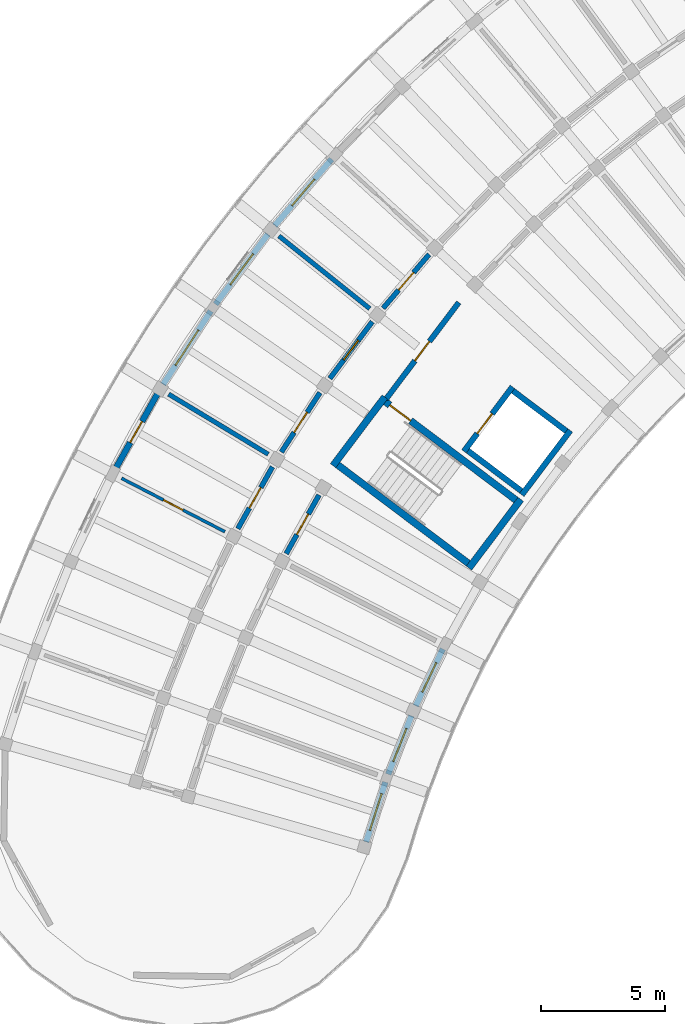
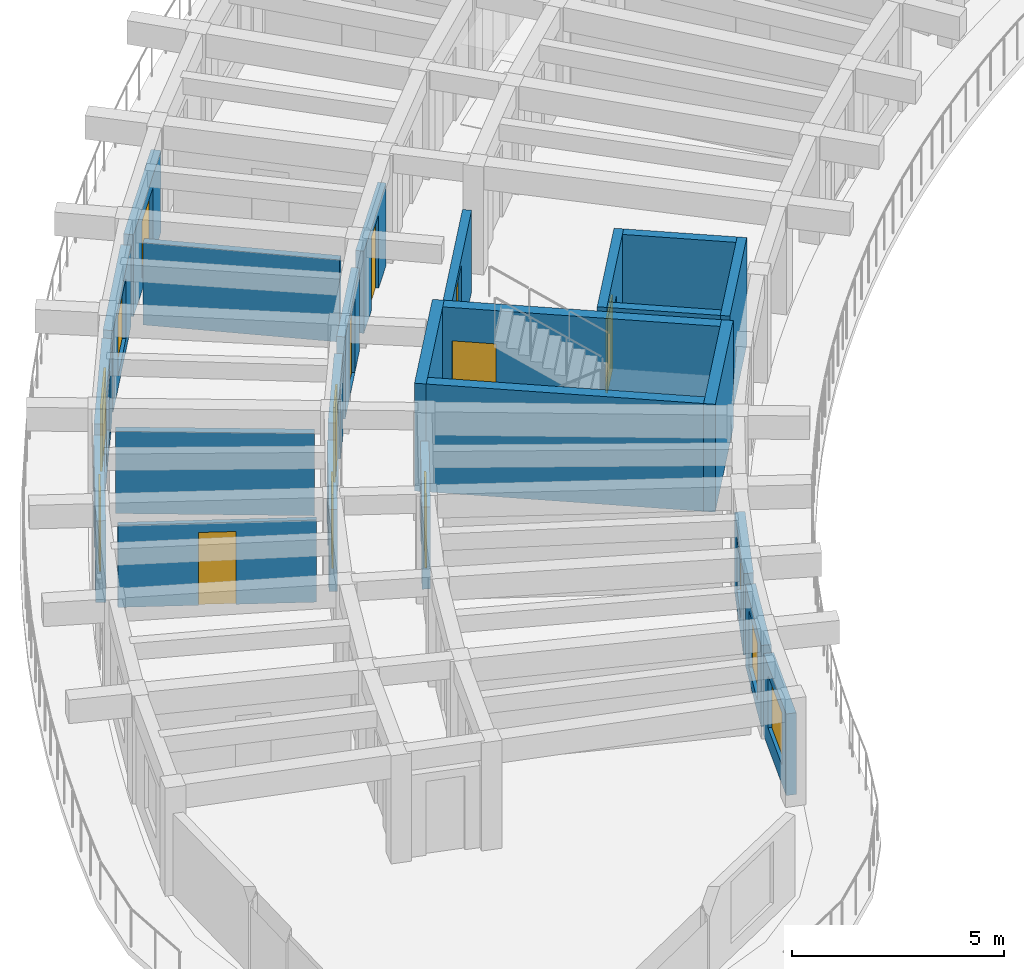
# One storey, part 26 of 56: 24 walls, 10 doors, 6 windows, 16 openings.
"""IFC4 building model written with IfcOpenShell, lengths in metres."""

import ifcopenshell
import ifcopenshell.guid

model = None  # the IFC model being written
_history = None  # IfcOwnerHistory: only IFC2X3 demands one
_inside = {}  # id of a spatial element -> (the spatial element, [elements in it])
_under = {}  # id of a project, library or spatial element -> (it, [spatial elements below it])
_declared = {}  # id of a project -> (the project, [libraries it declares])
_typed = {}  # id of a type object -> (the type object, [elements of that type])
_made_of = {}  # id of a material, layer set ... -> (it, [elements and type objects made of it])


def new_model(schema):
    """Start an empty IFC model of exactly this schema.

    Asked for "IFC4X3", IfcOpenShell would pick the latest addendum, in which some entities
    have other attributes; the version numbers below select the first issue.
    IFC2X3 requires an IfcOwnerHistory on every rooted entity: one is made here for all.
    """
    global model, _history
    if schema == "IFC4X3":
        model = ifcopenshell.file(schema_version=(4, 3, 0, 0))
    else:
        model = ifcopenshell.file(schema=schema)
    _inside.clear()
    _under.clear()
    _declared.clear()
    _typed.clear()
    _made_of.clear()
    _history = None
    if model.schema == "IFC2X3":
        org = make("IfcOrganization", Name="unknown")
        user = make(
            "IfcPersonAndOrganization",
            ThePerson=make("IfcPerson", FamilyName="unknown"),
            TheOrganization=org,
        )
        app = make(
            "IfcApplication",
            ApplicationDeveloper=org,
            Version="unknown",
            ApplicationFullName="unknown",
            ApplicationIdentifier="unknown",
        )
        _history = make(
            "IfcOwnerHistory",
            OwningUser=user,
            OwningApplication=app,
            ChangeAction="ADDED",
            CreationDate=0,
        )
    return model


def make(cls, **values):
    """One entity of the class cls with the attributes given. An attribute that is None is left unset."""
    return model.create_entity(
        cls, **{name: value for name, value in values.items() if value is not None}
    )


def rooted(cls, **values):
    """An entity with a GlobalId (a new one), such as an element, a storey or a relation."""
    return make(cls, GlobalId=ifcopenshell.guid.new(), OwnerHistory=_history, **values)


def si_unit(unit_type, name, prefix=None):
    """IfcSIUnit, for example si_unit("LENGTHUNIT", "METRE", prefix="MILLI")."""
    return make("IfcSIUnit", UnitType=unit_type, Prefix=prefix, Name=name)


def assignment(units):
    """IfcUnitAssignment: the units of a project."""
    return None if units is None else make("IfcUnitAssignment", Units=units)


def point(xyz):
    """IfcCartesianPoint."""
    return None if xyz is None else make("IfcCartesianPoint", Coordinates=xyz)


def direction(xyz):
    """IfcDirection."""
    return None if xyz is None else make("IfcDirection", DirectionRatios=xyz)


def frame(location, z_axis=None, x_axis=None):
    """IfcAxis2Placement3D, a coordinate frame: its origin and axes. An axis left out is left unset."""
    return make(
        "IfcAxis2Placement3D",
        Location=point(location),
        Axis=direction(z_axis),
        RefDirection=direction(x_axis),
    )


def frame_2d(location, x_axis=None):
    """IfcAxis2Placement2D, a coordinate frame in the plane: its origin and x axis."""
    return make(
        "IfcAxis2Placement2D", Location=point(location), RefDirection=direction(x_axis)
    )


def origin():
    """The frame at (0, 0, 0) with its axes left unset."""
    return frame((0.0, 0.0, 0.0))


def place(relative_to, where):
    """IfcLocalPlacement: puts the frame where relative to a parent placement (None: the world)."""
    return make(
        "IfcLocalPlacement", PlacementRelTo=relative_to, RelativePlacement=where
    )


def context(
    kind, dimensions, precision=None, world=None, true_north=None, identifier=None
):
    """IfcGeometricRepresentationContext, for example the 3D "Model" context."""
    return make(
        "IfcGeometricRepresentationContext",
        ContextIdentifier=identifier,
        ContextType=kind,
        CoordinateSpaceDimension=dimensions,
        Precision=precision,
        WorldCoordinateSystem=world,
        TrueNorth=true_north,
    )


def subcontext(parent, identifier, kind, view, scale=None):
    """IfcGeometricRepresentationSubContext, for example "Body" below "Model"."""
    return make(
        "IfcGeometricRepresentationSubContext",
        ContextIdentifier=identifier,
        ContextType=kind,
        ParentContext=parent,
        TargetScale=scale,
        TargetView=view,
    )


def project(units=None, contexts=None):
    """IfcProject with its units and contexts."""
    return rooted(
        "IfcProject",
        Name="project",
        RepresentationContexts=contexts,
        UnitsInContext=assignment(units),
    )


def spatial(cls, under=None, at=None, **own):
    """A site, building, storey or space (cls), placed at a placement, below another one or the project."""
    s = rooted(cls, ObjectPlacement=at, **own)
    if under is not None:
        _under.setdefault(under.id(), (under, []))[1].append(s)
    return s


def profile(cls, at=None, kind="AREA", **sizes):
    """A parametric profile (cls). Its sizes go by their IFC names, for example OverallWidth=200.0."""
    return make(cls, ProfileType=kind, Position=at, **sizes)


def rectangle(**sizes):
    """IfcRectangleProfileDef."""
    return profile("IfcRectangleProfileDef", **sizes)


def extrude(swept, where, along, depth):
    """IfcExtrudedAreaSolid: the profile swept, set in the frame where, extruded along a direction by depth."""
    return make(
        "IfcExtrudedAreaSolid",
        SweptArea=swept,
        Position=where,
        ExtrudedDirection=direction(along),
        Depth=depth,
    )


def shape(context_of_items, identifier, shape_type, items):
    """IfcShapeRepresentation: the items that make up one representation, for example the "Body"."""
    return make(
        "IfcShapeRepresentation",
        ContextOfItems=context_of_items,
        RepresentationIdentifier=identifier,
        RepresentationType=shape_type,
        Items=items,
    )


def material(Name=None, Category=None):
    """IfcMaterial."""
    return make("IfcMaterial", Name=Name, Category=Category)


def layer(
    of_material, thickness, ventilated=None, Name=None, Category=None, Priority=None
):
    """IfcMaterialLayer: one layer of a wall or slab, of a material (None: an air gap)."""
    return make(
        "IfcMaterialLayer",
        Material=of_material,
        LayerThickness=thickness,
        IsVentilated=ventilated,
        Name=Name,
        Category=Category,
        Priority=Priority,
    )


def layer_set(layers, Name=None):
    """IfcMaterialLayerSet."""
    return make("IfcMaterialLayerSet", MaterialLayers=layers, LayerSetName=Name)


def made_of(thing, what):
    """Note that an element or type object is made of a material, layer set ...; save() writes the relation."""
    if what is not None:
        _made_of.setdefault(what.id(), (what, []))[1].append(thing)
    return thing


def type_object(cls, material=None, **own):
    """A type object (cls), such as IfcWallType, which elements share."""
    return made_of(rooted(cls, **own), material)


def element(
    cls,
    number,
    at=None,
    inside=None,
    cuts=None,
    type_object=None,
    material=None,
    context=None,
    identifier="Body",
    shape_type=None,
    held_by="IfcProductDefinitionShape",
    body=None,
    shapes=None,
    **own,
):
    """One element of the class cls, such as IfcWall. Its Tag is "e" and its number.

    at: its placement. inside: the storey or other place that contains it. cuts: it is an
    opening in that element (IfcRelVoidsElement). A single representation is given by context,
    identifier, shape_type and body (its items); several are given by shapes. held_by: the class
    of the entity that holds the representations. save() writes the other relations.
    """
    e = rooted(cls, Tag="e%d" % number, ObjectPlacement=at, **own)
    if body is not None:
        shapes = [shape(context, identifier, shape_type, body)]
    if shapes is not None:
        e.Representation = make(held_by, Representations=shapes)
    if inside is not None:
        _inside.setdefault(inside.id(), (inside, []))[1].append(e)
    if cuts is not None:
        rooted(
            "IfcRelVoidsElement", RelatingBuildingElement=cuts, RelatedOpeningElement=e
        )
    if type_object is not None:
        _typed.setdefault(type_object.id(), (type_object, []))[1].append(e)
    return made_of(e, material)


def fill(opening, filler):
    """IfcRelFillsElement: the door or window that sits in an opening."""
    return rooted(
        "IfcRelFillsElement",
        RelatingOpeningElement=opening,
        RelatedBuildingElement=filler,
    )


def aggregate(whole, parts):
    """IfcRelAggregates: a whole, such as a stair, and the parts it consists of."""
    return rooted("IfcRelAggregates", RelatingObject=whole, RelatedObjects=parts)


def save(model, path):
    """Write the relations noted so far, then the file.

    IfcRelAggregates (storeys below a building ...), IfcRelContainedInSpatialStructure (elements
    in a storey), IfcRelDefinesByType, IfcRelAssociatesMaterial and IfcRelDeclares: one each for
    every whole, place, type object, material and project.
    """
    for whole, parts in _under.values():
        aggregate(whole, parts)
    for where, things in _inside.values():
        rooted(
            "IfcRelContainedInSpatialStructure",
            RelatedElements=things,
            RelatingStructure=where,
        )
    for kind, things in _typed.values():
        rooted("IfcRelDefinesByType", RelatedObjects=things, RelatingType=kind)
    for what, things in _made_of.values():
        rooted("IfcRelAssociatesMaterial", RelatedObjects=things, RelatingMaterial=what)
    for by, libraries in _declared.values():
        rooted("IfcRelDeclares", RelatingContext=by, RelatedDefinitions=libraries)
    model.write(path)


model = new_model("IFC4")

# Units and contexts
model_context = context("Model", 3, precision=1e-05, world=origin(), true_north=direction((0.0, 1.0)))
body_context = subcontext(model_context, "Body", "Model", "MODEL_VIEW")
ifc_project = project(units=[si_unit("LENGTHUNIT", "METRE"), si_unit("AREAUNIT", "SQUARE_METRE"), si_unit("VOLUMEUNIT", "CUBIC_METRE"), si_unit("PLANEANGLEUNIT", "RADIAN"), si_unit("MASSUNIT", "GRAM", prefix="KILO")], contexts=[model_context])

# Site, building, storey
site_placement = place(None, origin())
site = spatial("IfcSite", under=ifc_project, at=site_placement, CompositionType="ELEMENT")
building_placement = place(site_placement, origin())
building = spatial("IfcBuilding", under=site, at=building_placement, Name="Tanwirah Colonnade Gardens", CompositionType="ELEMENT")
storey_placement = place(building_placement, frame((0.0, 0.0, 29.0)))
storey = spatial("IfcBuildingStorey", under=building, at=storey_placement, Name="L08", CompositionType="ELEMENT", Elevation=29.0)

# Wall, opening, window
ifc_material_1 = material(Name="Limestone architectural precast concrete C40/50", Category="masonry")
ifc_layer_1 = layer(ifc_material_1, 0.2451171875)
ifc_layer_set_1 = layer_set([ifc_layer_1], Name="Limestone architectural precast concrete C40/50")
wall_type_1 = type_object("IfcWallType", Name="EW-PC245", PredefinedType="SOLIDWALL", material=ifc_layer_set_1)
wall_1_placement = place(storey_placement, frame((20.948974609375, 100.263427734375, 0.0), z_axis=(0.0, 0.0, 1.0), x_axis=(-0.650200638195, -0.759762548492, 0.0)))
wall_1 = element("IfcWall", 1, at=wall_1_placement, inside=storey, type_object=wall_type_1, Name="Block A L08 OUT Precast Facade Wall 11", PredefinedType="SOLIDWALL", context=body_context, shape_type="SweptSolid", body=[
    extrude(rectangle(XDim=3.540771484375, YDim=0.2451171875, at=frame_2d((1.7705078125, 0.0))), origin(), (0.0, 0.0, 1.0), 2.35498046875),
])
opening_1_placement = place(wall_1_placement, frame((1.0703125, 0.0, 0.35009765625)))
opening_1 = element("IfcOpeningElement", 2, at=opening_1_placement, cuts=wall_1, Name="Opening WIN-T06", PredefinedType="OPENING", context=body_context, shape_type="SweptSolid", body=[
    extrude(rectangle(XDim=1.39990234375, YDim=1.64990234375, at=frame_2d((0.699951171875, 0.824951171875))), frame((0.0, 0.132568359375, 0.0), z_axis=(0.0, -1.0, 0.0), x_axis=(1.0, 0.0, 0.0)), (0.0, 0.0, 1.0), 0.26513671875),
])
ifc_material_2 = material(Name="Thermally broken bronze aluminium and solar low-E double glazing", Category="aluminium")
window_type_1 = type_object("IfcWindowType", Name="WIN-T06", PartitioningType="DOUBLE_PANEL_VERTICAL", PredefinedType="WINDOW", material=ifc_material_2)
window_1_placement = place(opening_1_placement, origin())
window_1 = element("IfcWindow", 3, at=window_1_placement, inside=storey, type_object=window_type_1, Name="Facade window A-L08-OUT-11", OverallHeight=1.64990234375, OverallWidth=1.39990234375, PartitioningType="SINGLE_PANEL", PredefinedType="WINDOW", context=body_context, shape_type="SweptSolid", body=[
    extrude(rectangle(XDim=1.39990234375, YDim=1.64990234375, at=frame_2d((0.699951171875, 0.824951171875))), frame((0.0, 0.030029296875, 0.0), z_axis=(0.0, -1.0, 0.0), x_axis=(1.0, 0.0, 0.0)), (0.0, 0.0, 1.0), 0.06005859375),
])
fill(opening_1, window_1)

wall_2_placement = place(storey_placement, frame((18.3720703125, 97.22998046875, 0.0), z_axis=(0.0, 0.0, 1.0), x_axis=(-0.59871946339, -0.800958803034, 0.0)))
wall_2 = element("IfcWall", 4, at=wall_2_placement, inside=storey, type_object=wall_type_1, Name="Block A L08 OUT Precast Facade Wall 12", PredefinedType="SOLIDWALL", context=body_context, shape_type="SweptSolid", body=[
    extrude(rectangle(XDim=3.540771484375, YDim=0.2451171875, at=frame_2d((1.7705078125, 0.0))), origin(), (0.0, 0.0, 1.0), 2.35498046875),
])
opening_2_placement = place(wall_2_placement, frame((0.995361328125, 0.0, 0.35009765625)))
opening_2 = element("IfcOpeningElement", 5, at=opening_2_placement, cuts=wall_2, Name="Opening WIN-T09", PredefinedType="OPENING", context=body_context, shape_type="SweptSolid", body=[
    extrude(rectangle(XDim=1.550048828125, YDim=1.75, at=frame_2d((0.77490234375, 0.875))), frame((0.0, 0.132568359375, 0.0), z_axis=(0.0, -1.0, 0.0), x_axis=(1.0, 0.0, 0.0)), (0.0, 0.0, 1.0), 0.26513671875),
])
window_type_2 = type_object("IfcWindowType", Name="WIN-T09", PartitioningType="DOUBLE_PANEL_VERTICAL", PredefinedType="WINDOW", material=ifc_material_2)
window_2_placement = place(opening_2_placement, origin())
window_2 = element("IfcWindow", 6, at=window_2_placement, inside=storey, type_object=window_type_2, Name="Facade window A-L08-OUT-12", OverallHeight=1.75, OverallWidth=1.550048828125, PartitioningType="SINGLE_PANEL", PredefinedType="WINDOW", context=body_context, shape_type="SweptSolid", body=[
    extrude(rectangle(XDim=1.550048828125, YDim=1.75, at=frame_2d((0.77490234375, 0.875))), frame((0.0, 0.030029296875, 0.0), z_axis=(0.0, -1.0, 0.0), x_axis=(1.0, 0.0, 0.0)), (0.0, 0.0, 1.0), 0.06005859375),
])
fill(opening_2, window_2)

wall_3_placement = place(storey_placement, frame((16.0634765625, 94.12353515625, 0.0), z_axis=(0.0, 0.0, 1.0), x_axis=(-0.544651423633, -0.838662522553, 0.0)))
wall_3 = element("IfcWall", 7, at=wall_3_placement, inside=storey, type_object=wall_type_1, Name="Block A L08 OUT Precast Facade Wall 13", PredefinedType="SOLIDWALL", context=body_context, shape_type="SweptSolid", body=[
    extrude(rectangle(XDim=3.540771484375, YDim=0.2451171875, at=frame_2d((1.7705078125, 0.0))), origin(), (0.0, 0.0, 1.0), 2.35498046875),
])
opening_3_placement = place(wall_3_placement, frame((0.92041015625, 0.0, 0.35009765625)))
opening_3 = element("IfcOpeningElement", 8, at=opening_3_placement, cuts=wall_3, Name="Opening WIN-T12", PredefinedType="OPENING", context=body_context, shape_type="SweptSolid", body=[
    extrude(rectangle(XDim=1.699951171875, YDim=1.800048828125, at=frame_2d((0.85009765625, 0.89990234375))), frame((0.0, 0.132568359375, 0.0), z_axis=(0.0, -1.0, 0.0), x_axis=(1.0, 0.0, 0.0)), (0.0, 0.0, 1.0), 0.26513671875),
])
window_type_3 = type_object("IfcWindowType", Name="WIN-T12", PartitioningType="TRIPLE_PANEL_VERTICAL", PredefinedType="WINDOW", material=ifc_material_2)
window_3_placement = place(opening_3_placement, origin())
window_3 = element("IfcWindow", 9, at=window_3_placement, inside=storey, type_object=window_type_3, Name="Facade window A-L08-OUT-13", OverallHeight=1.800048828125, OverallWidth=1.699951171875, PartitioningType="SINGLE_PANEL", PredefinedType="WINDOW", context=body_context, shape_type="SweptSolid", body=[
    extrude(rectangle(XDim=1.699951171875, YDim=1.800048828125, at=frame_2d((0.85009765625, 0.89990234375))), frame((0.0, 0.030029296875, 0.0), z_axis=(0.0, -1.0, 0.0), x_axis=(1.0, 0.0, 0.0)), (0.0, 0.0, 1.0), 0.06005859375),
])
fill(opening_3, window_3)

# Wall, opening, door
wall_4_placement = place(storey_placement, frame((13.907958984375, 90.77734375, 0.0), z_axis=(0.0, 0.0, 1.0), x_axis=(-0.488240096514, -0.872709349185, 0.0)))
wall_4 = element("IfcWall", 10, at=wall_4_placement, inside=storey, type_object=wall_type_1, Name="Block A L08 OUT Precast Facade Wall 14", PredefinedType="SOLIDWALL", context=body_context, shape_type="SweptSolid", body=[
    extrude(rectangle(XDim=3.540771484375, YDim=0.2451171875, at=frame_2d((1.7705078125, 0.0))), origin(), (0.0, 0.0, 1.0), 2.35498046875),
])
opening_4_placement = place(wall_4_placement, frame((1.2802734375, 0.0, 0.0)))
opening_4 = element("IfcOpeningElement", 11, at=opening_4_placement, cuts=wall_4, Name="Opening L08-ED040", PredefinedType="OPENING", context=body_context, shape_type="SweptSolid", body=[
    extrude(rectangle(XDim=0.97998046875, YDim=2.1201171875, at=frame_2d((0.489990234375, 1.06005859375))), frame((0.0, 0.132568359375, 0.0), z_axis=(0.0, -1.0, 0.0), x_axis=(1.0, 0.0, 0.0)), (0.0, 0.0, 1.0), 0.26513671875),
])
ifc_material_3 = material(Name="Bronze aluminium glazed balcony door", Category="aluminium")
door_type_1 = type_object("IfcDoorType", Name="ED-BAL098", OperationType="NOTDEFINED", PredefinedType="DOOR", material=ifc_material_3)
door_1_placement = place(opening_4_placement, origin())
door_1 = element("IfcDoor", 12, at=door_1_placement, inside=storey, type_object=door_type_1, Name="Balcony glazed door L08-ED040", OperationType="SINGLE_SWING_LEFT", OverallHeight=2.1201171875, OverallWidth=0.97998046875, PredefinedType="DOOR", context=body_context, shape_type="SweptSolid", body=[
    extrude(rectangle(XDim=0.97998046875, YDim=2.1201171875, at=frame_2d((0.489990234375, 1.06005859375))), frame((0.0, 0.02490234375, 0.0), z_axis=(0.0, -1.0, 0.0), x_axis=(1.0, 0.0, 0.0)), (0.0, 0.0, 1.0), 0.050048828125),
])
fill(opening_4, door_1)

# Wall, opening, window
wall_5_placement = place(storey_placement, frame((25.44189453125, 80.4609375, 0.0), z_axis=(0.0, 0.0, 1.0), x_axis=(-0.429631962494, -0.903004084599, 0.0)))
wall_5 = element("IfcWall", 13, at=wall_5_placement, inside=storey, type_object=wall_type_1, Name="Block A L08 IN Precast Facade Wall 15", PredefinedType="SOLIDWALL", context=body_context, shape_type="SweptSolid", body=[
    extrude(rectangle(XDim=2.545166015625, YDim=0.2451171875, at=frame_2d((1.2724609375, 0.0))), origin(), (0.0, 0.0, 1.0), 2.35498046875),
])
opening_5_placement = place(wall_5_placement, frame((0.612548828125, 0.0, 0.550048828125)))
opening_5 = element("IfcOpeningElement", 14, at=opening_5_placement, cuts=wall_5, Name="Opening WIN-U05", PredefinedType="OPENING", context=body_context, shape_type="SweptSolid", body=[
    extrude(rectangle(XDim=1.320068359375, YDim=1.5849609375, at=frame_2d((0.66015625, 0.79248046875))), frame((0.0, 0.132568359375, 0.0), z_axis=(0.0, -1.0, 0.0), x_axis=(1.0, 0.0, 0.0)), (0.0, 0.0, 1.0), 0.26513671875),
])
window_type_4 = type_object("IfcWindowType", Name="WIN-U05", PartitioningType="DOUBLE_PANEL_VERTICAL", PredefinedType="WINDOW", material=ifc_material_2)
window_4_placement = place(opening_5_placement, origin())
window_4 = element("IfcWindow", 15, at=window_4_placement, inside=storey, type_object=window_type_4, Name="Facade window A-L08-IN-15", OverallHeight=1.5849609375, OverallWidth=1.320068359375, PartitioningType="SINGLE_PANEL", PredefinedType="WINDOW", context=body_context, shape_type="SweptSolid", body=[
    extrude(rectangle(XDim=1.320068359375, YDim=1.5849609375, at=frame_2d((0.66015625, 0.79248046875))), frame((0.0, 0.030029296875, 0.0), z_axis=(0.0, -1.0, 0.0), x_axis=(1.0, 0.0, 0.0)), (0.0, 0.0, 1.0), 0.06005859375),
])
fill(opening_5, window_4)

wall_6_placement = place(storey_placement, frame((24.172607421875, 77.759521484375, 0.0), z_axis=(0.0, 0.0, 1.0), x_axis=(-0.369190124901, -0.929353889364, 0.0)))
wall_6 = element("IfcWall", 16, at=wall_6_placement, inside=storey, type_object=wall_type_1, Name="Block A L08 IN Precast Facade Wall 16", PredefinedType="SOLIDWALL", context=body_context, shape_type="SweptSolid", body=[
    extrude(rectangle(XDim=2.54541015625, YDim=0.2451171875, at=frame_2d((1.272705078125, 0.0))), origin(), (0.0, 0.0, 1.0), 2.35498046875),
])
opening_6_placement = place(wall_6_placement, frame((0.552490234375, 0.0, 0.35009765625)))
opening_6 = element("IfcOpeningElement", 17, at=opening_6_placement, cuts=wall_6, Name="Opening WIN-U08", PredefinedType="OPENING", context=body_context, shape_type="SweptSolid", body=[
    extrude(rectangle(XDim=1.43994140625, YDim=1.659912109375, at=frame_2d((0.719970703125, 0.830078125))), frame((0.0, 0.132568359375, 0.0), z_axis=(0.0, -1.0, 0.0), x_axis=(1.0, 0.0, 0.0)), (0.0, 0.0, 1.0), 0.26513671875),
])
window_type_5 = type_object("IfcWindowType", Name="WIN-U08", PartitioningType="DOUBLE_PANEL_VERTICAL", PredefinedType="WINDOW", material=ifc_material_2)
window_5_placement = place(opening_6_placement, origin())
window_5 = element("IfcWindow", 18, at=window_5_placement, inside=storey, type_object=window_type_5, Name="Facade window A-L08-IN-16", OverallHeight=1.659912109375, OverallWidth=1.43994140625, PartitioningType="SINGLE_PANEL", PredefinedType="WINDOW", context=body_context, shape_type="SweptSolid", body=[
    extrude(rectangle(XDim=1.43994140625, YDim=1.659912109375, at=frame_2d((0.719970703125, 0.830078125))), frame((0.0, 0.030029296875, 0.0), z_axis=(0.0, -1.0, 0.0), x_axis=(1.0, 0.0, 0.0)), (0.0, 0.0, 1.0), 0.06005859375),
])
fill(opening_6, window_5)

wall_7_placement = place(storey_placement, frame((23.121337890625, 75.083740234375, 0.0), z_axis=(0.0, 0.0, 1.0), x_axis=(-0.30712047936, -0.951670642164, 0.0)))
wall_7 = element("IfcWall", 19, at=wall_7_placement, inside=storey, type_object=wall_type_1, Name="Block A L08 IN Precast Facade Wall 17", PredefinedType="SOLIDWALL", context=body_context, shape_type="SweptSolid", body=[
    extrude(rectangle(XDim=2.54541015625, YDim=0.2451171875, at=frame_2d((1.272705078125, 0.0))), origin(), (0.0, 0.0, 1.0), 2.35498046875),
])
opening_7_placement = place(wall_7_placement, frame((0.49267578125, 0.0, 0.550048828125)))
opening_7 = element("IfcOpeningElement", 20, at=opening_7_placement, cuts=wall_7, Name="Opening WIN-U11", PredefinedType="OPENING", context=body_context, shape_type="SweptSolid", body=[
    extrude(rectangle(XDim=1.56005859375, YDim=1.510009765625, at=frame_2d((0.780029296875, 0.7548828125))), frame((0.0, 0.132568359375, 0.0), z_axis=(0.0, -1.0, 0.0), x_axis=(1.0, 0.0, 0.0)), (0.0, 0.0, 1.0), 0.26513671875),
])
window_type_6 = type_object("IfcWindowType", Name="WIN-U11", PartitioningType="DOUBLE_PANEL_VERTICAL", PredefinedType="WINDOW", material=ifc_material_2)
window_6_placement = place(opening_7_placement, origin())
window_6 = element("IfcWindow", 21, at=window_6_placement, inside=storey, type_object=window_type_6, Name="Facade window A-L08-IN-17", OverallHeight=1.510009765625, OverallWidth=1.56005859375, PartitioningType="SINGLE_PANEL", PredefinedType="WINDOW", context=body_context, shape_type="SweptSolid", body=[
    extrude(rectangle(XDim=1.56005859375, YDim=1.510009765625, at=frame_2d((0.780029296875, 0.7548828125))), frame((0.0, 0.030029296875, 0.0), z_axis=(0.0, -1.0, 0.0), x_axis=(1.0, 0.0, 0.0)), (0.0, 0.0, 1.0), 0.06005859375),
])
fill(opening_7, window_6)

# Wall, opening, door
ifc_material_4 = material(Name="Precast concrete C40/50", Category="concrete")
ifc_layer_2 = layer(ifc_material_4, 0.205078125)
ifc_layer_set_2 = layer_set([ifc_layer_2], Name="Precast concrete C40/50")
wall_type_2 = type_object("IfcWallType", Name="IW-CORR205", PredefinedType="PARTITIONING", material=ifc_layer_set_2)
wall_8_placement = place(storey_placement, frame((24.88720703125, 96.4111328125, 0.0), z_axis=(0.0, 0.0, 1.0), x_axis=(-0.650194272684, -0.759767996015, 0.0)))
wall_8 = element("IfcWall", 22, at=wall_8_placement, inside=storey, type_object=wall_type_2, Name="Block A L08 OUT Corridor Wall 11", PredefinedType="PARTITIONING", context=body_context, shape_type="SweptSolid", body=[
    extrude(rectangle(XDim=2.863037109375, YDim=0.205078125, at=frame_2d((1.431640625, 0.0))), origin(), (0.0, 0.0, 1.0), 2.3701171875),
])
opening_8_placement = place(wall_8_placement, frame((0.966552734375, 0.0, 0.0)))
opening_8 = element("IfcOpeningElement", 23, at=opening_8_placement, cuts=wall_8, Name="Opening L08-AD583", PredefinedType="OPENING", context=body_context, shape_type="SweptSolid", body=[
    extrude(rectangle(XDim=0.929931640625, YDim=2.1201171875, at=frame_2d((0.46484375, 1.06005859375))), frame((0.0, 0.112548828125, 0.0), z_axis=(0.0, -1.0, 0.0), x_axis=(1.0, 0.0, 0.0)), (0.0, 0.0, 1.0), 0.22509765625),
])
ifc_material_5 = material(Name="Solid oak fire-resisting apartment entrance door")
door_type_2 = type_object("IfcDoorType", Name="ID-FLT093", OperationType="NOTDEFINED", PredefinedType="DOOR", material=ifc_material_5)
door_2_placement = place(opening_8_placement, origin())
door_2 = element("IfcDoor", 24, at=door_2_placement, inside=storey, type_object=door_type_2, Name="Apartment corridor door L08-AD583", OperationType="SINGLE_SWING_RIGHT", OverallHeight=2.1201171875, OverallWidth=0.929931640625, PredefinedType="DOOR", context=body_context, shape_type="SweptSolid", body=[
    extrude(rectangle(XDim=0.929931640625, YDim=2.1201171875, at=frame_2d((0.46484375, 1.06005859375))), frame((0.0, 0.02490234375, 0.0), z_axis=(0.0, -1.0, 0.0), x_axis=(1.0, 0.0, 0.0)), (0.0, 0.0, 1.0), 0.050048828125),
])
fill(opening_8, door_2)

wall_9_placement = place(storey_placement, frame((22.588623046875, 93.689453125, 0.0), z_axis=(0.0, 0.0, 1.0), x_axis=(-0.598757763243, -0.800930172335, 0.0)))
wall_9 = element("IfcWall", 25, at=wall_9_placement, inside=storey, type_object=wall_type_2, Name="Block A L08 OUT Corridor Wall 12", PredefinedType="PARTITIONING", context=body_context, shape_type="SweptSolid", body=[
    extrude(rectangle(XDim=2.86328125, YDim=0.205078125, at=frame_2d((1.431640625, 0.0))), origin(), (0.0, 0.0, 1.0), 2.3701171875),
])
opening_9_placement = place(wall_9_placement, frame((0.9365234375, 0.0, 0.0)))
opening_9 = element("IfcOpeningElement", 26, at=opening_9_placement, cuts=wall_9, Name="Opening L08-AD584", PredefinedType="OPENING", context=body_context, shape_type="SweptSolid", body=[
    extrude(rectangle(XDim=0.989990234375, YDim=2.159912109375, at=frame_2d((0.4951171875, 1.080078125))), frame((0.0, 0.112548828125, 0.0), z_axis=(0.0, -1.0, 0.0), x_axis=(1.0, 0.0, 0.0)), (0.0, 0.0, 1.0), 0.22509765625),
])
door_type_3 = type_object("IfcDoorType", Name="ID-FLT099", OperationType="NOTDEFINED", PredefinedType="DOOR", material=ifc_material_5)
door_3_placement = place(opening_9_placement, origin())
door_3 = element("IfcDoor", 27, at=door_3_placement, inside=storey, type_object=door_type_3, Name="Apartment corridor door L08-AD584", OperationType="SINGLE_SWING_LEFT", OverallHeight=2.159912109375, OverallWidth=0.989990234375, PredefinedType="DOOR", context=body_context, shape_type="SweptSolid", body=[
    extrude(rectangle(XDim=0.989990234375, YDim=2.159912109375, at=frame_2d((0.4951171875, 1.080078125))), frame((0.0, 0.02490234375, 0.0), z_axis=(0.0, -1.0, 0.0), x_axis=(1.0, 0.0, 0.0)), (0.0, 0.0, 1.0), 0.050048828125),
])
fill(opening_9, door_3)

wall_10_placement = place(storey_placement, frame((20.47412109375, 90.822265625, 0.0), z_axis=(0.0, 0.0, 1.0), x_axis=(-0.544643612649, -0.838667595178, 0.0)))
wall_10 = element("IfcWall", 28, at=wall_10_placement, inside=storey, type_object=wall_type_2, Name="Block A L08 OUT Corridor Wall 13", PredefinedType="PARTITIONING", context=body_context, shape_type="SweptSolid", body=[
    extrude(rectangle(XDim=2.863037109375, YDim=0.205078125, at=frame_2d((1.431640625, 0.0))), origin(), (0.0, 0.0, 1.0), 2.3701171875),
])
opening_10_placement = place(wall_10_placement, frame((0.946533203125, 0.0, 0.0)))
opening_10 = element("IfcOpeningElement", 29, at=opening_10_placement, cuts=wall_10, Name="Opening L08-AD585", PredefinedType="OPENING", context=body_context, shape_type="SweptSolid", body=[
    extrude(rectangle(XDim=0.969970703125, YDim=2.14990234375, at=frame_2d((0.48486328125, 1.074951171875))), frame((0.0, 0.112548828125, 0.0), z_axis=(0.0, -1.0, 0.0), x_axis=(1.0, 0.0, 0.0)), (0.0, 0.0, 1.0), 0.22509765625),
])
door_type_4 = type_object("IfcDoorType", Name="ID-FLT097", OperationType="NOTDEFINED", PredefinedType="DOOR", material=ifc_material_5)
door_4_placement = place(opening_10_placement, origin())
door_4 = element("IfcDoor", 30, at=door_4_placement, inside=storey, type_object=door_type_4, Name="Apartment corridor door L08-AD585", OperationType="SINGLE_SWING_RIGHT", OverallHeight=2.14990234375, OverallWidth=0.969970703125, PredefinedType="DOOR", context=body_context, shape_type="SweptSolid", body=[
    extrude(rectangle(XDim=0.969970703125, YDim=2.14990234375, at=frame_2d((0.48486328125, 1.074951171875))), frame((0.0, 0.02490234375, 0.0), z_axis=(0.0, -1.0, 0.0), x_axis=(1.0, 0.0, 0.0)), (0.0, 0.0, 1.0), 0.050048828125),
])
fill(opening_10, door_4)

wall_11_placement = place(storey_placement, frame((18.55322265625, 87.822021484375, 0.0), z_axis=(0.0, 0.0, 1.0), x_axis=(-0.488211211273, -0.872725508501, 0.0)))
wall_11 = element("IfcWall", 31, at=wall_11_placement, inside=storey, type_object=wall_type_2, Name="Block A L08 OUT Corridor Wall 14", PredefinedType="PARTITIONING", context=body_context, shape_type="SweptSolid", body=[
    extrude(rectangle(XDim=2.86279296875, YDim=0.205078125, at=frame_2d((1.431396484375, 0.0))), origin(), (0.0, 0.0, 1.0), 2.3701171875),
])
opening_11_placement = place(wall_11_placement, frame((0.95654296875, 0.0, 0.0)))
opening_11 = element("IfcOpeningElement", 32, at=opening_11_placement, cuts=wall_11, Name="Opening L08-AD586", PredefinedType="OPENING", context=body_context, shape_type="SweptSolid", body=[
    extrude(rectangle(XDim=0.949951171875, YDim=2.1298828125, at=frame_2d((0.47509765625, 1.06494140625))), frame((0.0, 0.112548828125, 0.0), z_axis=(0.0, -1.0, 0.0), x_axis=(1.0, 0.0, 0.0)), (0.0, 0.0, 1.0), 0.22509765625),
])
door_type_5 = type_object("IfcDoorType", Name="ID-FLT095", OperationType="NOTDEFINED", PredefinedType="DOOR", material=ifc_material_5)
door_5_placement = place(opening_11_placement, origin())
door_5 = element("IfcDoor", 33, at=door_5_placement, inside=storey, type_object=door_type_5, Name="Apartment corridor door L08-AD586", OperationType="SINGLE_SWING_LEFT", OverallHeight=2.1298828125, OverallWidth=0.949951171875, PredefinedType="DOOR", context=body_context, shape_type="SweptSolid", body=[
    extrude(rectangle(XDim=0.949951171875, YDim=2.1298828125, at=frame_2d((0.47509765625, 1.06494140625))), frame((0.0, 0.02490234375, 0.0), z_axis=(0.0, -1.0, 0.0), x_axis=(1.0, 0.0, 0.0)), (0.0, 0.0, 1.0), 0.050048828125),
])
fill(opening_11, door_5)

wall_12_placement = place(storey_placement, frame((20.436767578125, 86.685302734375, 0.0), z_axis=(0.0, 0.0, 1.0), x_axis=(-0.48819576874, -0.872734147025, 0.0)))
wall_12 = element("IfcWall", 34, at=wall_12_placement, inside=storey, type_object=wall_type_2, Name="Block A L08 IN Corridor Wall 14", PredefinedType="PARTITIONING", context=body_context, shape_type="SweptSolid", body=[
    extrude(rectangle(XDim=2.718017578125, YDim=0.205078125, at=frame_2d((1.35888671875, 0.0))), origin(), (0.0, 0.0, 1.0), 2.3701171875),
])
opening_12_placement = place(wall_12_placement, frame((0.884033203125, 0.0, 0.0)))
opening_12 = element("IfcOpeningElement", 35, at=opening_12_placement, cuts=wall_12, Name="Opening L08-AD587", PredefinedType="OPENING", context=body_context, shape_type="SweptSolid", body=[
    extrude(rectangle(XDim=0.949951171875, YDim=2.1298828125, at=frame_2d((0.47509765625, 1.06494140625))), frame((0.0, 0.112548828125, 0.0), z_axis=(0.0, -1.0, 0.0), x_axis=(1.0, 0.0, 0.0)), (0.0, 0.0, 1.0), 0.22509765625),
])
door_6_placement = place(opening_12_placement, origin())
door_6 = element("IfcDoor", 36, at=door_6_placement, inside=storey, type_object=door_type_5, Name="Apartment corridor door L08-AD587", OperationType="SINGLE_SWING_RIGHT", OverallHeight=2.1298828125, OverallWidth=0.949951171875, PredefinedType="DOOR", context=body_context, shape_type="SweptSolid", body=[
    extrude(rectangle(XDim=0.949951171875, YDim=2.1298828125, at=frame_2d((0.47509765625, 1.06494140625))), frame((0.0, 0.02490234375, 0.0), z_axis=(0.0, -1.0, 0.0), x_axis=(1.0, 0.0, 0.0)), (0.0, 0.0, 1.0), 0.050048828125),
])
fill(opening_12, door_6)

# Walls
ifc_layer_3 = layer(ifc_material_4, 0.18505859375)
ifc_layer_set_3 = layer_set([ifc_layer_3], Name="Precast concrete C40/50")
wall_type_3 = type_object("IfcWallType", Name="IW-DEM185", PredefinedType="PARTITIONING", material=ifc_layer_set_3)
wall_13_placement = place(storey_placement, frame((22.48583984375, 94.2197265625, 0.0), z_axis=(0.0, 0.0, 1.0), x_axis=(-0.780807994362, 0.624771058821, 0.0)))
element("IfcWall", 37, at=wall_13_placement, inside=storey, type_object=wall_type_3, Name="Block A L08 Radial Partition 11", PredefinedType="PARTITIONING", context=body_context, shape_type="SweptSolid", body=[
    extrude(rectangle(XDim=4.7001953125, YDim=0.18505859375, at=frame_2d((2.35009765625, 0.0))), origin(), (0.0, 0.0, 1.0), 2.3701171875),
])
wall_14_placement = place(storey_placement, frame((18.381591796875, 88.334228515625, 0.0), z_axis=(0.0, 0.0, 1.0), x_axis=(-0.856165473929, 0.516701733356, 0.0)))
element("IfcWall", 38, at=wall_14_placement, inside=storey, type_object=wall_type_3, Name="Block A L08 Radial Partition 13", PredefinedType="PARTITIONING", context=body_context, shape_type="SweptSolid", body=[
    extrude(rectangle(XDim=4.699951171875, YDim=0.18505859375, at=frame_2d((2.35009765625, 0.0))), origin(), (0.0, 0.0, 1.0), 2.3701171875),
])

# Wall, opening, door
ifc_material_6 = material(Name="Autoclaved aerated masonry blockwork", Category="masonry")
ifc_layer_4 = layer(ifc_material_6, 0.219970703125)
ifc_layer_set_4 = layer_set([ifc_layer_4], Name="Autoclaved aerated masonry blockwork")
wall_type_4 = type_object("IfcWallType", Name="IW-FFL220", PredefinedType="PARTITIONING", material=ifc_layer_set_4)
wall_15_placement = place(storey_placement, frame((23.138916015625, 90.55517578125, 0.0), z_axis=(0.0, 0.0, 1.0), x_axis=(0.601792209296, 0.79865270101, 0.0)))
wall_15 = element("IfcWall", 39, at=wall_15_placement, inside=storey, type_object=wall_type_4, Name="CORE-A2 L08 Enclosed Lobby Fire Wall", PredefinedType="PARTITIONING", context=body_context, shape_type="SweptSolid", body=[
    extrude(rectangle(XDim=4.89990234375, YDim=0.219970703125, at=frame_2d((2.449951171875, 0.0))), origin(), (0.0, 0.0, 1.0), 2.340087890625),
])
opening_13_placement = place(wall_15_placement, frame((1.949951171875, 0.0, 0.0)))
opening_13 = element("IfcOpeningElement", 40, at=opening_13_placement, cuts=wall_15, Name="Opening L08-LD058", PredefinedType="OPENING", context=body_context, shape_type="SweptSolid", body=[
    extrude(rectangle(XDim=0.97998046875, YDim=2.139892578125, at=frame_2d((0.489990234375, 1.06982421875))), frame((0.0, 0.119873046875, 0.0), z_axis=(0.0, -1.0, 0.0), x_axis=(1.0, 0.0, 0.0)), (0.0, 0.0, 1.0), 0.239990234375),
])
ifc_material_7 = material(Name="Acoustic fire-resisting lobby door")
door_type_6 = type_object("IfcDoorType", Name="ID-FFL098", OperationType="NOTDEFINED", PredefinedType="DOOR", material=ifc_material_7)
door_7_placement = place(opening_13_placement, origin())
door_7 = element("IfcDoor", 41, at=door_7_placement, inside=storey, type_object=door_type_6, Name="CORE-A2 L08 Lobby Fire Door L08-LD058", OperationType="SINGLE_SWING_LEFT", OverallHeight=2.139892578125, OverallWidth=0.97998046875, PredefinedType="DOOR", context=body_context, shape_type="SweptSolid", body=[
    extrude(rectangle(XDim=0.97998046875, YDim=2.139892578125, at=frame_2d((0.489990234375, 1.06982421875))), frame((0.0, 0.02490234375, 0.0), z_axis=(0.0, -1.0, 0.0), x_axis=(1.0, 0.0, 0.0)), (0.0, 0.0, 1.0), 0.050048828125),
])
fill(opening_13, door_7)

ifc_material_8 = material(Name="Moisture-resistant gypsum stud partition")
ifc_layer_5 = layer(ifc_material_8, 0.125)
ifc_layer_set_5 = layer_set([ifc_layer_5], Name="Moisture-resistant gypsum stud partition")
wall_type_5 = type_object("IfcWallType", Name="IW-INT125", PredefinedType="PARTITIONING", material=ifc_layer_set_5)
wall_16_placement = place(storey_placement, frame((16.62939453125, 85.20166015625, 0.0), z_axis=(0.0, 0.0, 1.0), x_axis=(-0.88836305433, 0.459141681512, 0.0)))
wall_16 = element("IfcWall", 42, at=wall_16_placement, inside=storey, type_object=wall_type_5, Name="Block A L08 Radial Partition 14", PredefinedType="PARTITIONING", context=body_context, shape_type="SweptSolid", body=[
    extrude(rectangle(XDim=4.699951171875, YDim=0.125, at=frame_2d((2.35009765625, 0.0))), origin(), (0.0, 0.0, 1.0), 2.3701171875),
])
opening_14_placement = place(wall_16_placement, frame((1.905029296875, 0.0, 0.0)))
opening_14 = element("IfcOpeningElement", 43, at=opening_14_placement, cuts=wall_16, Name="Opening L08-RD588", PredefinedType="OPENING", context=body_context, shape_type="SweptSolid", body=[
    extrude(rectangle(XDim=0.889892578125, YDim=2.10009765625, at=frame_2d((0.44482421875, 1.050048828125))), frame((0.0, 0.072509765625, 0.0), z_axis=(0.0, -1.0, 0.0), x_axis=(1.0, 0.0, 0.0)), (0.0, 0.0, 1.0), 0.14501953125),
])
ifc_material_9 = material(Name="Painted hardwood bedroom door", Category="wood")
door_type_7 = type_object("IfcDoorType", Name="ID-RM089", OperationType="NOTDEFINED", PredefinedType="DOOR", material=ifc_material_9)
door_8_placement = place(opening_14_placement, origin())
door_8 = element("IfcDoor", 44, at=door_8_placement, inside=storey, type_object=door_type_7, Name="Internal apartment door L08-RD588", OperationType="SINGLE_SWING_LEFT", OverallHeight=2.10009765625, OverallWidth=0.889892578125, PredefinedType="DOOR", context=body_context, shape_type="SweptSolid", body=[
    extrude(rectangle(XDim=0.889892578125, YDim=2.10009765625, at=frame_2d((0.44482421875, 1.050048828125))), frame((0.0, 0.02490234375, 0.0), z_axis=(0.0, -1.0, 0.0), x_axis=(1.0, 0.0, 0.0)), (0.0, 0.0, 1.0), 0.050048828125),
])
fill(opening_14, door_8)

# Walls
ifc_material_10 = material(Name="Concrete C45/55", Category="concrete")
ifc_layer_6 = layer(ifc_material_10, 0.280029296875)
ifc_layer_set_6 = layer_set([ifc_layer_6], Name="Concrete C45/55")
wall_type_6 = type_object("IfcWallType", Name="SW-CORE280", PredefinedType="SHEAR", material=ifc_layer_set_6)
wall_17_placement = place(storey_placement, frame((21.19873046875, 87.8974609375, 0.0), z_axis=(0.0, 0.0, 1.0), x_axis=(0.798639633744, -0.601809550782, 0.0)))
element("IfcWall", 45, at=wall_17_placement, inside=storey, type_object=wall_type_6, Name="CORE-A2 L08 Stair Shaft Shear Wall LEFT", PredefinedType="SHEAR", context=body_context, shape_type="SweptSolid", body=[
    extrude(rectangle(XDim=6.599853515625, YDim=0.280029296875, at=frame_2d((3.2998046875, 0.0))), origin(), (0.0, 0.0, 1.0), 3.110107421875),
])
for number, where, z_axis, x_axis, name in (
    (46, (26.497314453125, 83.7294921875, 0.0), (0.0, 0.0, 1.0), (0.601794470585, 0.798650997102, 0.0), "CORE-A2 L08 Stair Shaft Shear Wall FAR"),
    (47, (21.002685546875, 87.869873046875, 0.0), (0.0, 0.0, 1.0), (0.601794470585, 0.798650997102, 0.0), "CORE-A2 L08 Stair Shaft Shear Wall NEAR"),
):
    element("IfcWall", number, at=place(storey_placement, frame(where, z_axis=z_axis, x_axis=x_axis)), inside=storey, type_object=wall_type_6, Name=name, PredefinedType="SHEAR", context=body_context, shape_type="SweptSolid", body=[
        extrude(rectangle(XDim=3.47998046875, YDim=0.280029296875, at=frame_2d((1.739990234375, 0.0))), origin(), (0.0, 0.0, 1.0), 3.110107421875),
    ])

# Wall, opening, door
wall_18_placement = place(storey_placement, frame((23.12451171875, 90.453125, 0.0), z_axis=(0.0, 0.0, 1.0), x_axis=(0.798639633744, -0.601809550782, 0.0)))
wall_18 = element("IfcWall", 48, at=wall_18_placement, inside=storey, type_object=wall_type_6, Name="CORE-A2 L08 Stair Shaft Shear Wall RIGHT", PredefinedType="SHEAR", context=body_context, shape_type="SweptSolid", body=[
    extrude(rectangle(XDim=6.599853515625, YDim=0.280029296875, at=frame_2d((3.2998046875, 0.0))), origin(), (0.0, 0.0, 1.0), 3.110107421875),
])
opening_15_placement = place(wall_18_placement, frame((0.219970703125, 0.0, 0.0)))
opening_15 = element("IfcOpeningElement", 49, at=opening_15_placement, cuts=wall_18, Name="Opening L08-SD042", PredefinedType="OPENING", context=body_context, shape_type="SweptSolid", body=[
    extrude(rectangle(XDim=1.050048828125, YDim=2.14990234375, at=frame_2d((0.52490234375, 1.074951171875))), frame((0.0, 0.14990234375, 0.0), z_axis=(0.0, -1.0, 0.0), x_axis=(1.0, 0.0, 0.0)), (0.0, 0.0, 1.0), 0.300048828125),
])
ifc_material_11 = material(Name="Steel fire-resisting stair enclosure door", Category="steel")
door_type_8 = type_object("IfcDoorType", Name="ID-ST105", OperationType="NOTDEFINED", PredefinedType="DOOR", material=ifc_material_11)
door_9_placement = place(opening_15_placement, origin())
door_9 = element("IfcDoor", 50, at=door_9_placement, inside=storey, type_object=door_type_8, Name="CORE-A2 L08 Stair Fire Door L08-SD042", OperationType="SINGLE_SWING_LEFT", OverallHeight=2.14990234375, OverallWidth=1.050048828125, PredefinedType="DOOR", context=body_context, shape_type="SweptSolid", body=[
    extrude(rectangle(XDim=1.050048828125, YDim=2.14990234375, at=frame_2d((0.52490234375, 1.074951171875))), frame((0.0, 0.02490234375, 0.0), z_axis=(0.0, -1.0, 0.0), x_axis=(1.0, 0.0, 0.0)), (0.0, 0.0, 1.0), 0.050048828125),
])
fill(opening_15, door_9)

ifc_layer_7 = layer(ifc_material_10, 0.22998046875)
ifc_layer_set_7 = layer_set([ifc_layer_7], Name="Concrete C45/55")
wall_type_7 = type_object("IfcWallType", Name="SW-LIFT230", PredefinedType="SHEAR", material=ifc_layer_set_7)
wall_19_placement = place(storey_placement, frame((26.2939453125, 88.452880859375, 0.0), z_axis=(0.0, 0.0, 1.0), x_axis=(0.601819781152, 0.798631924615, 0.0)))
wall_19 = element("IfcWall", 51, at=wall_19_placement, inside=storey, type_object=wall_type_7, Name="CORE-A2 L08 Lift Shaft Wall FRONT", PredefinedType="SHEAR", context=body_context, shape_type="SweptSolid", body=[
    extrude(rectangle(XDim=3.260009765625, YDim=0.22998046875, at=frame_2d((1.6298828125, 0.0))), origin(), (0.0, 0.0, 1.0), 3.110107421875),
])
opening_16_placement = place(wall_19_placement, frame((0.89990234375, 0.0, 0.0)))
opening_16 = element("IfcOpeningElement", 52, at=opening_16_placement, cuts=wall_19, Name="Opening L08-LD-PL-A2", PredefinedType="OPENING", context=body_context, shape_type="SweptSolid", body=[
    extrude(rectangle(XDim=1.0, YDim=2.14990234375, at=frame_2d((0.5, 1.074951171875))), frame((0.0, 0.125, 0.0), z_axis=(0.0, -1.0, 0.0), x_axis=(1.0, 0.0, 0.0)), (0.0, 0.0, 1.0), 0.25),
])
ifc_material_12 = material(Name="Bronze stainless steel sliding lift landing door", Category="steel")
door_type_9 = type_object("IfcDoorType", Name="LD-PS10", OperationType="DOUBLE_DOOR_SLIDING", PredefinedType="DOOR", material=ifc_material_12)
door_10_placement = place(opening_16_placement, origin())
door_10 = element("IfcDoor", 53, at=door_10_placement, inside=storey, type_object=door_type_9, Name="Lift PL-A2 L08 Sliding Landing Door", OperationType="DOUBLE_DOOR_SLIDING", OverallHeight=2.14990234375, OverallWidth=1.0, PredefinedType="DOOR", context=body_context, shape_type="SweptSolid", body=[
    extrude(rectangle(XDim=1.0, YDim=2.14990234375, at=frame_2d((0.5, 1.074951171875))), frame((0.0, 0.02490234375, 0.0), z_axis=(0.0, -1.0, 0.0), x_axis=(1.0, 0.0, 0.0)), (0.0, 0.0, 1.0), 0.050048828125),
])
fill(opening_16, door_10)

# Walls
wall_20_placement = place(storey_placement, frame((28.634033203125, 86.689697265625, 0.0), z_axis=(0.0, 0.0, 1.0), x_axis=(0.601819781152, 0.798631924615, 0.0)))
element("IfcWall", 54, at=wall_20_placement, inside=storey, type_object=wall_type_7, Name="CORE-A2 L08 Lift Shaft Wall BACK", PredefinedType="SHEAR", context=body_context, shape_type="SweptSolid", body=[
    extrude(rectangle(XDim=3.260009765625, YDim=0.22998046875, at=frame_2d((1.6298828125, 0.0))), origin(), (0.0, 0.0, 1.0), 3.110107421875),
])
for number, where, z_axis, x_axis, name in (
    (55, (26.455078125, 88.4755859375, 0.0), (0.0, 0.0, 1.0), (0.798608971494, -0.601850239387, 0.0), "CORE-A2 L08 Lift Shaft Wall SIDEA"),
    (56, (28.278564453125, 90.8955078125, 0.0), (0.0, 0.0, 1.0), (0.798608971494, -0.601850239387, 0.0), "CORE-A2 L08 Lift Shaft Wall SIDEB"),
):
    element("IfcWall", number, at=place(storey_placement, frame(where, z_axis=z_axis, x_axis=x_axis)), inside=storey, type_object=wall_type_7, Name=name, PredefinedType="SHEAR", context=body_context, shape_type="SweptSolid", body=[
        extrude(rectangle(XDim=2.699951171875, YDim=0.22998046875, at=frame_2d((1.35009765625, 0.0))), origin(), (0.0, 0.0, 1.0), 3.110107421875),
    ])

save(model, "model.ifc")
